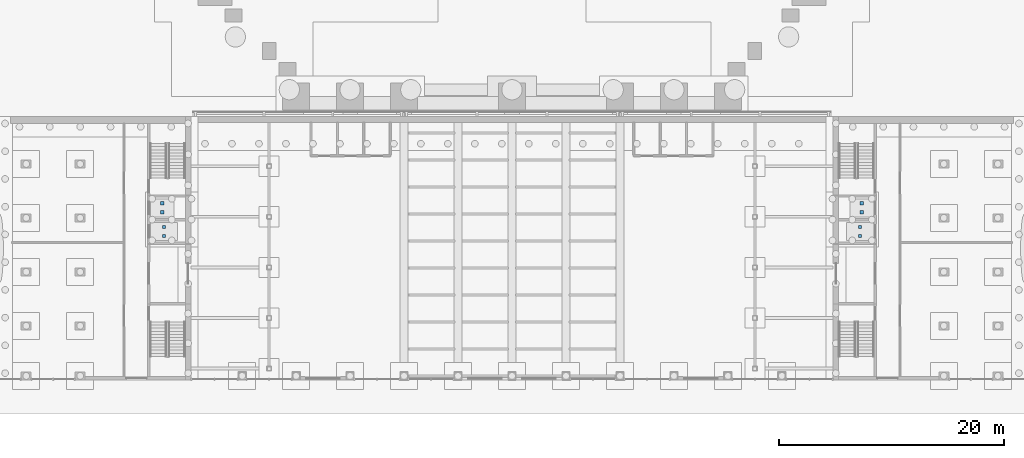
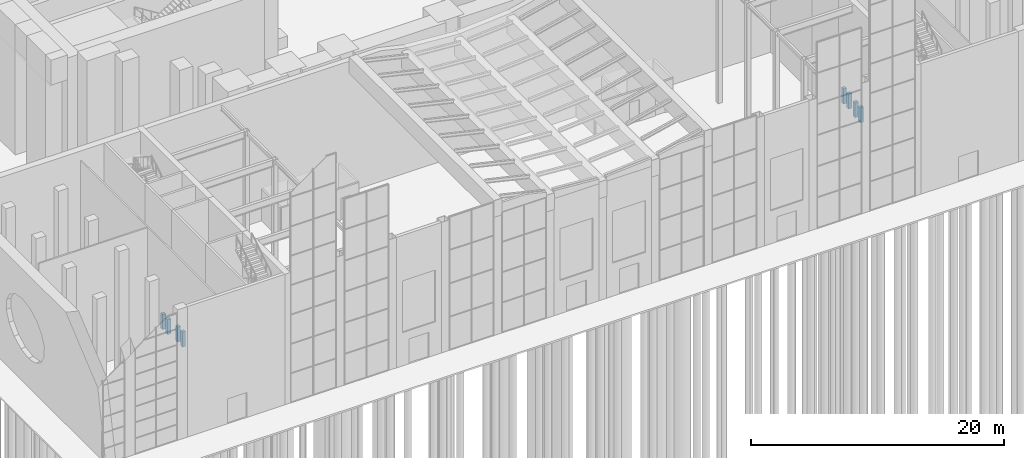
# One storey, part 51 of 58: 8 discrete accessories.
"""IFC4 building model written with IfcOpenShell, lengths in metres."""

from ifc_helpers import new_model, si_unit, direction, frame, origin, origin_2d, place, context, subcontext, project, spatial, rectangle, extrude, material, type_object, element, save


model = new_model("IFC4")

# Units and contexts
model_context = context("Model", 3, precision=1e-05, world=origin(), true_north=direction((0.0, 1.0)))
body_context = subcontext(model_context, "Body", "Model", "MODEL_VIEW")
ifc_project = project(units=[si_unit("LENGTHUNIT", "METRE"), si_unit("AREAUNIT", "SQUARE_METRE"), si_unit("VOLUMEUNIT", "CUBIC_METRE"), si_unit("PLANEANGLEUNIT", "RADIAN"), si_unit("MASSUNIT", "GRAM", prefix="KILO")], contexts=[model_context])

# Site, building, storey
site_placement = place(None, origin())
site = spatial("IfcSite", under=ifc_project, at=site_placement, CompositionType="ELEMENT")
building_placement = place(site_placement, origin())
building = spatial("IfcBuilding", under=site, at=building_placement, Name="Baori Bourse Tower", CompositionType="ELEMENT")
storey_placement = place(building_placement, origin())
storey = spatial("IfcBuildingStorey", under=building, at=storey_placement, Name="L00", CompositionType="ELEMENT", Elevation=0.0)

# Discrete accessories
ifc_material = material(Name="Painted steel S355", Category="steel")
discrete_accessory_type = type_object("IfcDiscreteAccessoryType", Name="Lift car buffer 300", PredefinedType="BRACKET", material=ifc_material)
for number, where, z_axis, x_axis, name in (
    (1, (-2.300048828125, -10.31005859375, -1.39990234375), (0.0, 0.0, 1.0), (1.0, 0.0, 0.0), "Car buffer WP"),
    (2, (-2.300048828125, -9.510009765625, -1.39990234375), (0.0, 0.0, 1.0), (1.0, 0.0, 0.0), "Car buffer WP"),
    (3, (-2.14990234375, -12.409912109375, -1.39990234375), (0.0, 0.0, 1.0), (1.0, 0.0, 0.0), "Car buffer WS"),
    (4, (-2.14990234375, -11.610107421875, -1.39990234375), (0.0, 0.0, 1.0), (1.0, 0.0, 0.0), "Car buffer WS"),
    (5, (59.89990234375, -10.31005859375, -1.39990234375), (0.0, 0.0, 1.0), (1.0, 0.0, 0.0), "Car buffer EP"),
    (6, (59.89990234375, -9.510009765625, -1.39990234375), (0.0, 0.0, 1.0), (1.0, 0.0, 0.0), "Car buffer EP"),
    (7, (59.75, -12.409912109375, -1.39990234375), (0.0, 0.0, 1.0), (1.0, 0.0, 0.0), "Car buffer ES"),
    (8, (59.75, -11.610107421875, -1.39990234375), (0.0, 0.0, 1.0), (1.0, 0.0, 0.0), "Car buffer ES"),
):
    element("IfcDiscreteAccessory", number, at=place(storey_placement, frame(where, z_axis=z_axis, x_axis=x_axis)), inside=storey, type_object=discrete_accessory_type, Name=name, PredefinedType="BRACKET", context=body_context, shape_type="SweptSolid", body=[
        extrude(rectangle(XDim=0.300048828125, YDim=0.300048828125, at=origin_2d()), origin(), (0.0, 0.0, 1.0), 1.449951171875),
    ])

save(model, "model.ifc")
